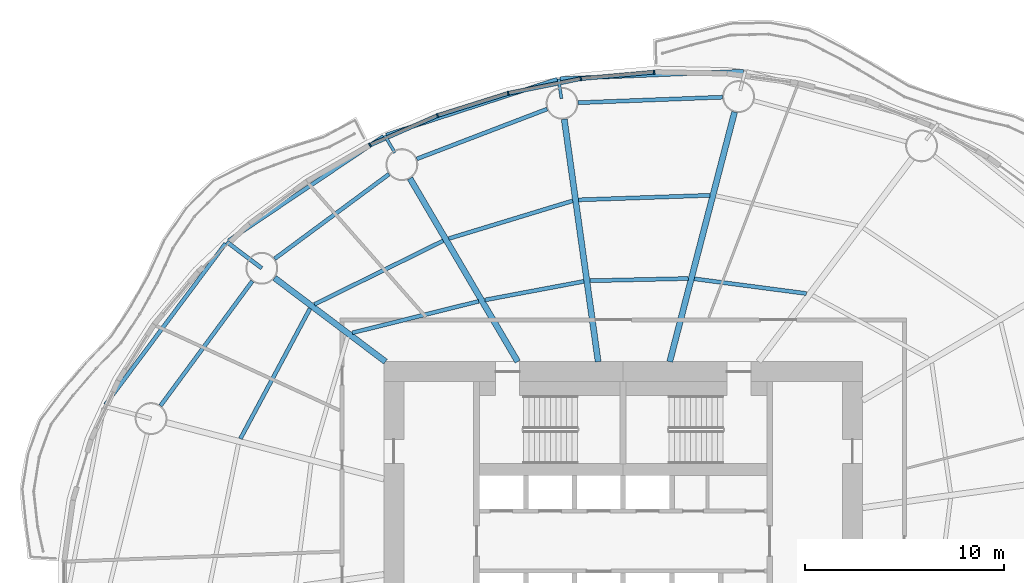
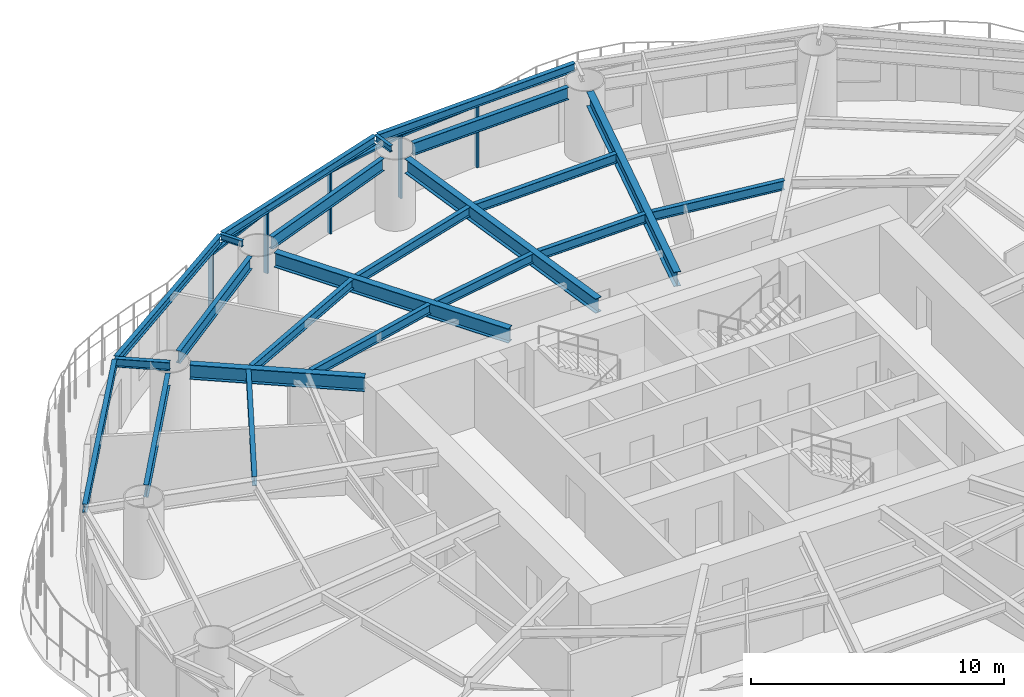
# One storey, part 5 of 17: 23 beams, 9 members, 4 elements without a shape of their own.
"""IFC4 building model written with IfcOpenShell, lengths in metres."""

from ifc_helpers import new_model, si_unit, direction, frame, origin, origin_2d, place, context, subcontext, project, spatial, rectangle, i_section, extrude, material, material_profile, profile_set, type_object, element, aggregate, save


model = new_model("IFC4")

# Units and contexts
model_context = context("Model", 3, precision=1e-05, world=origin(), true_north=direction((0.0, 1.0)))
body_context = subcontext(model_context, "Body", "Model", "MODEL_VIEW")
ifc_project = project(units=[si_unit("LENGTHUNIT", "METRE"), si_unit("AREAUNIT", "SQUARE_METRE"), si_unit("VOLUMEUNIT", "CUBIC_METRE"), si_unit("PLANEANGLEUNIT", "RADIAN"), si_unit("MASSUNIT", "GRAM", prefix="KILO")], contexts=[model_context])

# Site, building, storey
site_placement = place(None, origin())
site = spatial("IfcSite", under=ifc_project, at=site_placement, CompositionType="ELEMENT")
building_placement = place(site_placement, origin())
building = spatial("IfcBuilding", under=site, at=building_placement, Name="Vermilion Reach Broadcast Tower", CompositionType="ELEMENT")
storey_placement = place(building_placement, frame((0.0, 0.0, 92.199951171875)))
storey = spatial("IfcBuildingStorey", under=building, at=storey_placement, Name="L20", CompositionType="ELEMENT", Elevation=92.199951171875)

# Beams
ifc_material_1 = material(Name="Steel S355J2", Category="steel")
ifc_material_profile_1 = material_profile(ifc_material_1, i_section(OverallWidth=0.199951171875, OverallDepth=0.39990234375, WebThickness=0.008056640625, FlangeThickness=0.012939453125, at=origin_2d()), Name="S355J2 HN 400x200x8x13")
ifc_profile_set_1 = profile_set([ifc_material_profile_1], Name="Steel S355J2")
beam_type_1 = type_object("IfcBeamType", Name="EB2 HN 400x200x8x13", PredefinedType="BEAM", material=ifc_profile_set_1)
beam_1_placement = place(storey_placement, frame((0.038330078125, 23.5634765625, 3.25), z_axis=(-0.999162863733, -0.040909311117, 0.0), x_axis=(0.040909311117, -0.999162863733, 0.0)))
element("IfcBeam", 1, at=beam_1_placement, inside=storey, type_object=beam_type_1, Name="Edge beam EB2-03", PredefinedType="BEAM", context=body_context, shape_type="SweptSolid", body=[
    extrude(i_section(OverallWidth=0.199951171875, OverallDepth=0.39990234375, WebThickness=0.008056640625, FlangeThickness=0.012939453125, at=origin_2d()), origin(), (0.0, 0.0, 1.0), 9.20849609375),
])
beam_2_placement = place(storey_placement, frame((-9.31005859375, 23.159912109375, 3.25), z_axis=(-0.95075238566, -0.309951449684, 0.0), x_axis=(0.309951449684, -0.95075238566, 0.0)))
element("IfcBeam", 2, at=beam_2_placement, inside=storey, type_object=beam_type_1, Name="Edge beam EB2-04", PredefinedType="BEAM", context=body_context, shape_type="SweptSolid", body=[
    extrude(i_section(OverallWidth=0.199951171875, OverallDepth=0.39990234375, WebThickness=0.008056640625, FlangeThickness=0.012939453125, at=origin_2d()), origin(), (0.0, 0.0, 1.0), 9.018798828125),
])
beam_3_placement = place(storey_placement, frame((-18.02001953125, 20.298828125, 3.25), z_axis=(-0.829653429338, -0.558278771929, 0.0), x_axis=(0.558278771929, -0.829653429338, 0.0)))
element("IfcBeam", 3, at=beam_3_placement, inside=storey, type_object=beam_type_1, Name="Edge beam EB2-05", PredefinedType="BEAM", context=body_context, shape_type="SweptSolid", body=[
    extrude(i_section(OverallWidth=0.199951171875, OverallDepth=0.39990234375, WebThickness=0.008056640625, FlangeThickness=0.012939453125, at=origin_2d()), origin(), (0.0, 0.0, 1.0), 9.369873046875),
])
beam_4_placement = place(storey_placement, frame((-25.941162109375, 14.9287109375, 3.25), z_axis=(-0.597840489802, -0.801615087654, 0.0), x_axis=(0.801615087654, -0.597840489802, 0.0)))
element("IfcBeam", 4, at=beam_4_placement, inside=storey, type_object=beam_type_1, Name="Edge beam EB2-06", PredefinedType="BEAM", context=body_context, shape_type="SweptSolid", body=[
    extrude(i_section(OverallWidth=0.199951171875, OverallDepth=0.39990234375, WebThickness=0.008056640625, FlangeThickness=0.012939453125, at=origin_2d()), origin(), (0.0, 0.0, 1.0), 10.08544921875),
])
ifc_material_2 = material(Name="Steel S355J2", Category="steel")
ifc_material_profile_2 = material_profile(ifc_material_2, i_section(OverallWidth=0.300048828125, OverallDepth=0.699951171875, WebThickness=0.012939453125, FlangeThickness=0.02392578125, at=origin_2d()), Name="S355J2 HN 700x300x13x24")
ifc_profile_set_2 = profile_set([ifc_material_profile_2], Name="Steel S355J2")
beam_type_2 = type_object("IfcBeamType", Name="G2 HN 700x300x13x24", PredefinedType="BEAM", material=ifc_profile_set_2)
beam_5_placement = place(storey_placement, frame((-3.6640625, 9.0, 3.10009765625), z_axis=(0.25121695316, 0.967930804575, 0.0), x_axis=(-0.967930804575, 0.25121695316, 0.0)))
element("IfcBeam", 5, at=beam_5_placement, inside=storey, type_object=beam_type_2, Name="Girder G2-03", PredefinedType="BEAM", context=body_context, shape_type="SweptSolid", body=[
    extrude(i_section(OverallWidth=0.300048828125, OverallDepth=0.699951171875, WebThickness=0.012939453125, FlangeThickness=0.02392578125, at=origin_2d()), origin(), (0.0, 0.0, 1.0), 12.93505859375),
])
beam_6_placement = place(storey_placement, frame((-7.2568359375, 9.0, 3.10009765625), z_axis=(-0.138317561234, 0.990387930184, 0.0), x_axis=(-0.990387930184, -0.138317561234, 0.0)))
element("IfcBeam", 6, at=beam_6_placement, inside=storey, type_object=beam_type_2, Name="Girder G2-04", PredefinedType="BEAM", context=body_context, shape_type="SweptSolid", body=[
    extrude(i_section(OverallWidth=0.300048828125, OverallDepth=0.699951171875, WebThickness=0.012939453125, FlangeThickness=0.02392578125, at=origin_2d()), origin(), (0.0, 0.0, 1.0), 12.281494140625),
])
beam_7_placement = place(storey_placement, frame((-11.290771484375, 9.0, 3.10009765625), z_axis=(-0.506783943634, 0.862073102744, 0.0), x_axis=(-0.862073102744, -0.506783943634, 0.0)))
element("IfcBeam", 7, at=beam_7_placement, inside=storey, type_object=beam_type_2, Name="Girder G2-05", PredefinedType="BEAM", context=body_context, shape_type="SweptSolid", body=[
    extrude(i_section(OverallWidth=0.300048828125, OverallDepth=0.699951171875, WebThickness=0.012939453125, FlangeThickness=0.02392578125, at=origin_2d()), origin(), (0.0, 0.0, 1.0), 10.661865234375),
])
beam_8_placement = place(storey_placement, frame((-17.921630859375, 9.0, 3.10009765625), z_axis=(-0.798113534072, 0.602507084382, 0.0), x_axis=(-0.602507084382, -0.798113534072, 0.0)))
element("IfcBeam", 8, at=beam_8_placement, inside=storey, type_object=beam_type_2, Name="Girder G2-06", PredefinedType="BEAM", context=body_context, shape_type="SweptSolid", body=[
    extrude(i_section(OverallWidth=0.300048828125, OverallDepth=0.699951171875, WebThickness=0.012939453125, FlangeThickness=0.02392578125, at=origin_2d()), origin(), (0.0, 0.0, 1.0), 6.971923828125),
])
ifc_material_3 = material(Name="Steel S355J2", Category="steel")
ifc_material_profile_3 = material_profile(ifc_material_3, i_section(OverallWidth=0.199951171875, OverallDepth=0.39990234375, WebThickness=0.008056640625, FlangeThickness=0.012939453125, at=origin_2d()), Name="S355J2 HN 400x200x8x13")
ifc_profile_set_3 = profile_set([ifc_material_profile_3], Name="Steel S355J2")
beam_type_3 = type_object("IfcBeamType", Name="GC2 HN 400x200x8x13", PredefinedType="BEAM", material=ifc_profile_set_3)
beam_9_placement = place(storey_placement, frame((-24.12451171875, 13.6826171875, 3.25), z_axis=(-0.798079463689, 0.602552213205, 0.0), x_axis=(-0.602552213205, -0.798079463689, 0.0)))
element("IfcBeam", 9, at=beam_9_placement, inside=storey, type_object=beam_type_3, Name="Cantilever girder GC2-06", PredefinedType="BEAM", context=body_context, shape_type="SweptSolid", body=[
    extrude(i_section(OverallWidth=0.199951171875, OverallDepth=0.39990234375, WebThickness=0.008056640625, FlangeThickness=0.012939453125, at=origin_2d()), origin(), (0.0, 0.0, 1.0), 2.201416015625),
])
ifc_material_4 = material(Name="Steel S355J2", Category="steel")
ifc_material_profile_4 = material_profile(ifc_material_4, i_section(OverallWidth=0.14990234375, OverallDepth=0.300048828125, WebThickness=0.006591796875, FlangeThickness=0.009033203125, at=origin_2d()), Name="S355J2 HN 300x150x6.5x9")
ifc_profile_set_4 = profile_set([ifc_material_profile_4], Name="Steel S355J2")
beam_type_4 = type_object("IfcBeamType", Name="GS2 HN 300x150x6.5x9", PredefinedType="BEAM", material=ifc_profile_set_4)
for number, where, z_axis, x_axis, name in (
    (10, (-9.099365234375, 22.193115234375, 3.300048828125), (-0.13817375644, 0.990408003315, 0.0), (-0.990408003315, -0.13817375644, 0.0), "Cantilever stub GS2-04"),
    (11, (-17.450927734375, 19.478515625, 3.300048828125), (-0.506828068037, 0.862047161964, 0.0), (-0.862047161964, -0.506828068037, 0.0), "Cantilever stub GS2-05"),
):
    element("IfcBeam", number, at=place(storey_placement, frame(where, z_axis=z_axis, x_axis=x_axis)), inside=storey, type_object=beam_type_4, Name=name, PredefinedType="BEAM", context=body_context, shape_type="SweptSolid", body=[
        extrude(i_section(OverallWidth=0.14990234375, OverallDepth=0.300048828125, WebThickness=0.006591796875, FlangeThickness=0.009033203125, at=origin_2d()), origin(), (0.0, 0.0, 1.0), 1.0),
    ])
ifc_material_5 = material(Name="Steel S355J2", Category="steel")
ifc_material_profile_5 = material_profile(ifc_material_5, i_section(OverallWidth=0.199951171875, OverallDepth=0.60009765625, WebThickness=0.010986328125, FlangeThickness=0.01708984375, at=origin_2d()), Name="S355J2 HN 600x200x11x17")
ifc_profile_set_5 = profile_set([ifc_material_profile_5], Name="Steel S355J2")
beam_type_5 = type_object("IfcBeamType", Name="RB2 HN 600x200x11x17", PredefinedType="BEAM", material=ifc_profile_set_5)
beam_10_placement = place(storey_placement, frame((-1.012939453125, 22.263916015625, 3.150146484375), z_axis=(-0.999268558327, -0.038240663418, 0.0), x_axis=(0.038240663418, -0.999268558327, 0.0)))
element("IfcBeam", 12, at=beam_10_placement, inside=storey, type_object=beam_type_5, Name="Ring beam RB2-03", PredefinedType="BEAM", context=body_context, shape_type="SweptSolid", body=[
    extrude(i_section(OverallWidth=0.199951171875, OverallDepth=0.60009765625, WebThickness=0.010986328125, FlangeThickness=0.01708984375, at=origin_2d()), origin(), (0.0, 0.0, 1.0), 7.259033203125),
])
beam_11_placement = place(storey_placement, frame((-9.813232421875, 21.669677734375, 3.150146484375), z_axis=(-0.933939237212, -0.357431813353, 0.0), x_axis=(0.357431813353, -0.933939237212, 0.0)))
element("IfcBeam", 13, at=beam_11_placement, inside=storey, type_object=beam_type_5, Name="Ring beam RB2-04", PredefinedType="BEAM", context=body_context, shape_type="SweptSolid", body=[
    extrude(i_section(OverallWidth=0.199951171875, OverallDepth=0.60009765625, WebThickness=0.010986328125, FlangeThickness=0.01708984375, at=origin_2d()), origin(), (0.0, 0.0, 1.0), 7.001953125),
])
beam_12_placement = place(storey_placement, frame((-17.74267578125, 18.4052734375, 3.150146484375), z_axis=(-0.803832742218, -0.594855379515, 0.0), x_axis=(0.594855379515, -0.803832742218, 0.0)))
element("IfcBeam", 14, at=beam_12_placement, inside=storey, type_object=beam_type_5, Name="Ring beam RB2-05", PredefinedType="BEAM", context=body_context, shape_type="SweptSolid", body=[
    extrude(i_section(OverallWidth=0.199951171875, OverallDepth=0.60009765625, WebThickness=0.010986328125, FlangeThickness=0.01708984375, at=origin_2d()), origin(), (0.0, 0.0, 1.0), 7.13916015625),
])
beam_13_placement = place(storey_placement, frame((-24.59912109375, 13.03857421875, 3.150146484375), z_axis=(-0.593250534798, -0.80501788984, 0.0), x_axis=(0.80501788984, -0.593250534798, 0.0)))
element("IfcBeam", 15, at=beam_13_placement, inside=storey, type_object=beam_type_5, Name="Ring beam RB2-06", PredefinedType="BEAM", context=body_context, shape_type="SweptSolid", body=[
    extrude(i_section(OverallWidth=0.199951171875, OverallDepth=0.60009765625, WebThickness=0.010986328125, FlangeThickness=0.01708984375, at=origin_2d()), origin(), (0.0, 0.0, 1.0), 7.76220703125),
])
ifc_material_6 = material(Name="Steel S355J2", Category="steel")
ifc_material_profile_6 = material_profile(ifc_material_6, i_section(OverallWidth=0.199951171875, OverallDepth=0.449951171875, WebThickness=0.009033203125, FlangeThickness=0.013916015625, at=origin_2d()), Name="S355J2 HN 450x200x9x14")
ifc_profile_set_6 = profile_set([ifc_material_profile_6], Name="Steel S355J2")
beam_type_6 = type_object("IfcBeamType", Name="SB2 HN 450x200x9x14", PredefinedType="BEAM", material=ifc_profile_set_6)
beam_14_placement = place(storey_placement, frame((3.185546875, 12.416748046875, 3.22509765625), z_axis=(-0.991498686864, 0.130116693573, 0.0), x_axis=(-0.130116693573, -0.991498686864, 0.0)))
element("IfcBeam", 16, at=beam_14_placement, inside=storey, type_object=beam_type_6, Name="Secondary beam SB2-02-1", PredefinedType="BEAM", context=body_context, shape_type="SweptSolid", body=[
    extrude(i_section(OverallWidth=0.199951171875, OverallDepth=0.449951171875, WebThickness=0.009033203125, FlangeThickness=0.013916015625, at=origin_2d()), origin(), (0.0, 0.0, 1.0), 5.66455078125),
])
beam_15_placement = place(storey_placement, frame((-2.73681640625, 13.169921875, 3.22509765625), z_axis=(-0.999742320425, -0.022700060602, 0.0), x_axis=(0.022700060602, -0.999742320425, 0.0)))
element("IfcBeam", 17, at=beam_15_placement, inside=storey, type_object=beam_type_6, Name="Secondary beam SB2-03-1", PredefinedType="BEAM", context=body_context, shape_type="SweptSolid", body=[
    extrude(i_section(OverallWidth=0.199951171875, OverallDepth=0.449951171875, WebThickness=0.009033203125, FlangeThickness=0.013916015625, at=origin_2d()), origin(), (0.0, 0.0, 1.0), 4.9365234375),
])
beam_16_placement = place(storey_placement, frame((-1.654052734375, 17.34130859375, 3.22509765625), z_axis=(-0.999404722387, -0.03449928797, 0.0), x_axis=(0.03449928797, -0.999404722387, 0.0)))
element("IfcBeam", 18, at=beam_16_placement, inside=storey, type_object=beam_type_6, Name="Secondary beam SB2-03-2", PredefinedType="BEAM", context=body_context, shape_type="SweptSolid", body=[
    extrude(i_section(OverallWidth=0.199951171875, OverallDepth=0.449951171875, WebThickness=0.009033203125, FlangeThickness=0.013916015625, at=origin_2d()), origin(), (0.0, 0.0, 1.0), 6.58837890625),
])
beam_17_placement = place(storey_placement, frame((-7.970703125, 13.026611328125, 3.22509765625), z_axis=(-0.982782890015, -0.184764149915, 0.0), x_axis=(0.184764149915, -0.982782890015, 0.0)))
element("IfcBeam", 19, at=beam_17_placement, inside=storey, type_object=beam_type_6, Name="Secondary beam SB2-04-1", PredefinedType="BEAM", context=body_context, shape_type="SweptSolid", body=[
    extrude(i_section(OverallWidth=0.199951171875, OverallDepth=0.449951171875, WebThickness=0.009033203125, FlangeThickness=0.013916015625, at=origin_2d()), origin(), (0.0, 0.0, 1.0), 5.051513671875),
])
beam_18_placement = place(storey_placement, frame((-8.53466796875, 17.064697265625, 3.22509765625), z_axis=(-0.956596430605, -0.291415972374, 0.0), x_axis=(0.291415972374, -0.956596430605, 0.0)))
element("IfcBeam", 20, at=beam_18_placement, inside=storey, type_object=beam_type_6, Name="Secondary beam SB2-04-2", PredefinedType="BEAM", context=body_context, shape_type="SweptSolid", body=[
    extrude(i_section(OverallWidth=0.199951171875, OverallDepth=0.449951171875, WebThickness=0.009033203125, FlangeThickness=0.013916015625, at=origin_2d()), origin(), (0.0, 0.0, 1.0), 6.49267578125),
])
beam_19_placement = place(storey_placement, frame((-13.24365234375, 12.026123046875, 3.22509765625), z_axis=(-0.970396717612, -0.241516480695, 0.0), x_axis=(0.241516480695, -0.970396717612, 0.0)))
element("IfcBeam", 21, at=beam_19_placement, inside=storey, type_object=beam_type_6, Name="Secondary beam SB2-05-1", PredefinedType="BEAM", context=body_context, shape_type="SweptSolid", body=[
    extrude(i_section(OverallWidth=0.199951171875, OverallDepth=0.449951171875, WebThickness=0.009033203125, FlangeThickness=0.013916015625, at=origin_2d()), origin(), (0.0, 0.0, 1.0), 6.539306640625),
])
beam_20_placement = place(storey_placement, frame((-15.02783203125, 15.06103515625, 3.22509765625), z_axis=(-0.896648255868, -0.442743611189, 0.0), x_axis=(0.442743611189, -0.896648255868, 0.0)))
element("IfcBeam", 22, at=beam_20_placement, inside=storey, type_object=beam_type_6, Name="Secondary beam SB2-05-2", PredefinedType="BEAM", context=body_context, shape_type="SweptSolid", body=[
    extrude(i_section(OverallWidth=0.199951171875, OverallDepth=0.449951171875, WebThickness=0.009033203125, FlangeThickness=0.013916015625, at=origin_2d()), origin(), (0.0, 0.0, 1.0), 7.19677734375),
])
beam_21_placement = place(storey_placement, frame((-21.702880859375, 11.66650390625, 3.22509765625), z_axis=(-0.471821551693, -0.881694064491, 0.0), x_axis=(0.881694064491, -0.471821551693, 0.0)))
element("IfcBeam", 23, at=beam_21_placement, inside=storey, type_object=beam_type_6, Name="Secondary beam SB2-06-2", PredefinedType="BEAM", context=body_context, shape_type="SweptSolid", body=[
    extrude(i_section(OverallWidth=0.199951171875, OverallDepth=0.449951171875, WebThickness=0.009033203125, FlangeThickness=0.013916015625, at=origin_2d()), origin(), (0.0, 0.0, 1.0), 7.405029296875),
])

# Curtain wall, member
ifc_material_7 = material(Name="Low-e laminated clear glass in aluminium frame", Category="aluminium")
curtain_wall_type = type_object("IfcCurtainWallType", Name="Slot curtain wall", PredefinedType="NOTDEFINED", material=ifc_material_7)
placement = place(storey_placement, origin())
curtain_wall_1 = element("IfcCurtainWall", 24, at=placement, inside=storey, type_object=curtain_wall_type, Name="Slot curtain wall L20 10", PredefinedType="NOTDEFINED")
ifc_material_8 = material(Name="Anodised aluminium", Category="aluminium")
ifc_material_profile_7 = material_profile(ifc_material_8, rectangle(XDim=0.199951171875, YDim=0.080078125, at=origin_2d()), Name="Slot mullion 80 x 200")
ifc_profile_set_7 = profile_set([ifc_material_profile_7], Name="Anodised aluminium")
member_type_1 = type_object("IfcMemberType", Name="Slot mullion 80 x 200", PredefinedType="MULLION", material=ifc_profile_set_7)
member_1_placement = place(storey_placement, frame((-4.446044921875, 23.52197265625, 0.0), z_axis=(0.0, 0.0, 1.0), x_axis=(0.034882095707, -0.999391434524, 0.0)))
member_1 = element("IfcMember", 25, at=member_1_placement, type_object=member_type_1, Name="Slot mullion L20 10", PredefinedType="MULLION", context=body_context, shape_type="SweptSolid", body=[
    extrude(rectangle(XDim=0.199951171875, YDim=0.080078125, at=origin_2d()), origin(), (0.0, 0.0, 1.0), 3.050048828125),
])

curtain_wall_2 = element("IfcCurtainWall", 26, at=placement, inside=storey, type_object=curtain_wall_type, Name="Slot curtain wall L20 11", PredefinedType="NOTDEFINED")
member_2_placement = place(storey_placement, frame((-8.124755859375, 23.19091796875, 0.0), z_axis=(0.0, 0.0, 1.0), x_axis=(0.143217342425, -0.989691261368, 0.0)))
member_2 = element("IfcMember", 27, at=member_2_placement, type_object=member_type_1, Name="Slot mullion L20 11", PredefinedType="MULLION", context=body_context, shape_type="SweptSolid", body=[
    extrude(rectangle(XDim=0.199951171875, YDim=0.080078125, at=origin_2d()), origin(), (0.0, 0.0, 1.0), 3.050048828125),
])

curtain_wall_3 = element("IfcCurtainWall", 28, at=placement, inside=storey, type_object=curtain_wall_type, Name="Slot curtain wall L20 12", PredefinedType="NOTDEFINED")
member_3_placement = place(storey_placement, frame((-11.76708984375, 22.46142578125, 0.0), z_axis=(0.0, 0.0, 1.0), x_axis=(0.248689857429, -0.968583168763, 0.0)))
member_3 = element("IfcMember", 29, at=member_3_placement, type_object=member_type_1, Name="Slot mullion L20 12", PredefinedType="MULLION", context=body_context, shape_type="SweptSolid", body=[
    extrude(rectangle(XDim=0.199951171875, YDim=0.080078125, at=origin_2d()), origin(), (0.0, 0.0, 1.0), 3.050048828125),
])

# Curtain wall, members
curtain_wall_4 = element("IfcCurtainWall", 30, at=placement, inside=storey, type_object=curtain_wall_type, Name="Slot curtain wall L20 13", PredefinedType="NOTDEFINED")
member_4_placement = place(storey_placement, frame((-15.310546875, 21.345947265625, 0.0), z_axis=(0.0, 0.0, 1.0), x_axis=(0.351285102118, -0.936268538951, 0.0)))
member_4 = element("IfcMember", 31, at=member_4_placement, type_object=member_type_1, Name="Slot mullion L20 13", PredefinedType="MULLION", context=body_context, shape_type="SweptSolid", body=[
    extrude(rectangle(XDim=0.199951171875, YDim=0.080078125, at=origin_2d()), origin(), (0.0, 0.0, 1.0), 3.050048828125),
])
member_5_placement = place(storey_placement, frame((-18.693603515625, 19.86376953125, 0.0), z_axis=(0.0, 0.0, 1.0), x_axis=(0.450893157147, -0.89257792984, 0.0)))
member_5 = element("IfcMember", 32, at=member_5_placement, type_object=member_type_1, Name="Slot mullion L20 14", PredefinedType="MULLION", context=body_context, shape_type="SweptSolid", body=[
    extrude(rectangle(XDim=0.199951171875, YDim=0.080078125, at=origin_2d()), origin(), (0.0, 0.0, 1.0), 3.050048828125),
])

# Member
ifc_material_9 = material(Name="Anodised aluminium", Category="aluminium")
ifc_material_profile_8 = material_profile(ifc_material_9, rectangle(XDim=0.199951171875, YDim=0.10009765625, at=origin_2d()), Name="Slot transom 200 x 100")
ifc_profile_set_8 = profile_set([ifc_material_profile_8], Name="Anodised aluminium")
member_type_2 = type_object("IfcMemberType", Name="Slot transom 200 x 100", PredefinedType="USERDEFINED", material=ifc_profile_set_8)
member_6_placement = place(storey_placement, frame((-4.48583984375, 23.518310546875, 3.0), z_axis=(-0.995978599856, -0.089591454, 0.0), x_axis=(0.089591454, -0.995978599856, 0.0)))
member_6 = element("IfcMember", 33, at=member_6_placement, type_object=member_type_2, Name="Slot transom L20 10.1", ObjectType="TRANSOM", PredefinedType="USERDEFINED", context=body_context, shape_type="SweptSolid", body=[
    extrude(rectangle(XDim=0.199951171875, YDim=0.10009765625, at=origin_2d()), origin(), (0.0, 0.0, 1.0), 3.613525390625),
])

aggregate(curtain_wall_1, [member_1, member_6])

member_7_placement = place(storey_placement, frame((-8.163818359375, 23.18310546875, 3.0), z_axis=(-0.980523799743, -0.196400300757, 0.0), x_axis=(0.196400300757, -0.980523799743, 0.0)))
member_7 = element("IfcMember", 34, at=member_7_placement, type_object=member_type_2, Name="Slot transom L20 11.1", ObjectType="TRANSOM", PredefinedType="USERDEFINED", context=body_context, shape_type="SweptSolid", body=[
    extrude(rectangle(XDim=0.199951171875, YDim=0.10009765625, at=origin_2d()), origin(), (0.0, 0.0, 1.0), 3.634765625),
])

aggregate(curtain_wall_2, [member_2, member_7])

member_8_placement = place(storey_placement, frame((-11.80517578125, 22.449462890625, 3.0), z_axis=(-0.953843193959, -0.300305113738, 0.0), x_axis=(0.300305113738, -0.953843193959, 0.0)))
member_8 = element("IfcMember", 35, at=member_8_placement, type_object=member_type_2, Name="Slot transom L20 12.1", ObjectType="TRANSOM", PredefinedType="USERDEFINED", context=body_context, shape_type="SweptSolid", body=[
    extrude(rectangle(XDim=0.199951171875, YDim=0.10009765625, at=origin_2d()), origin(), (0.0, 0.0, 1.0), 3.634765625),
])

aggregate(curtain_wall_3, [member_3, member_8])

member_9_placement = place(storey_placement, frame((-15.34716796875, 21.329833984375, 3.0), z_axis=(-0.915963397001, -0.401261828929, 0.0), x_axis=(0.401261828929, -0.915963397001, 0.0)))
member_9 = element("IfcMember", 36, at=member_9_placement, type_object=member_type_2, Name="Slot transom L20 13.1", ObjectType="TRANSOM", PredefinedType="USERDEFINED", context=body_context, shape_type="SweptSolid", body=[
    extrude(rectangle(XDim=0.199951171875, YDim=0.10009765625, at=origin_2d()), origin(), (0.0, 0.0, 1.0), 3.613525390625),
])

aggregate(curtain_wall_4, [member_4, member_5, member_9])

save(model, "model.ifc")
